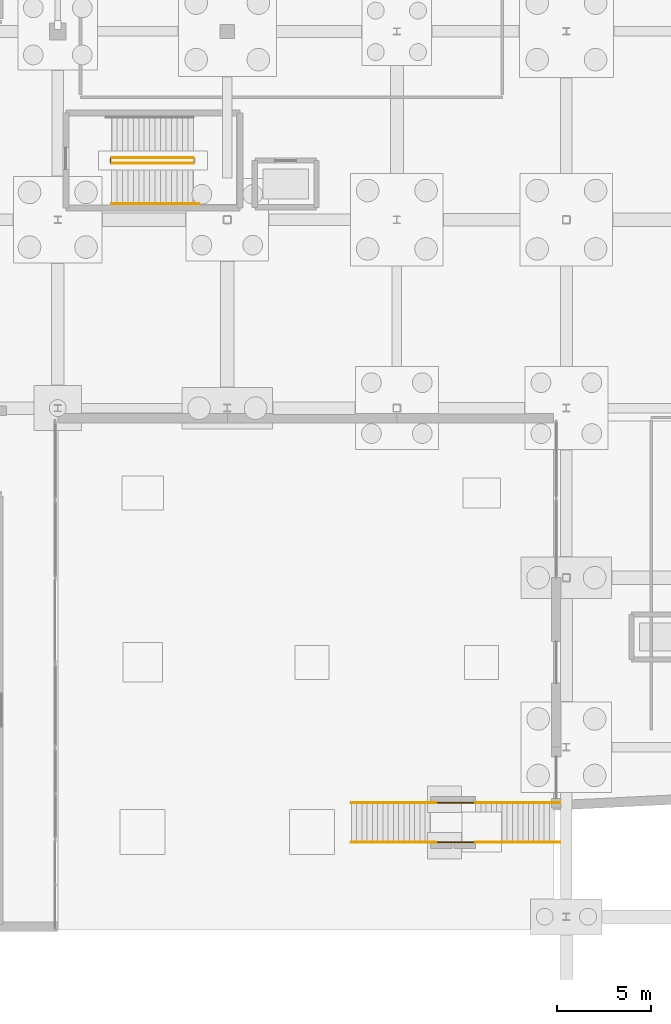
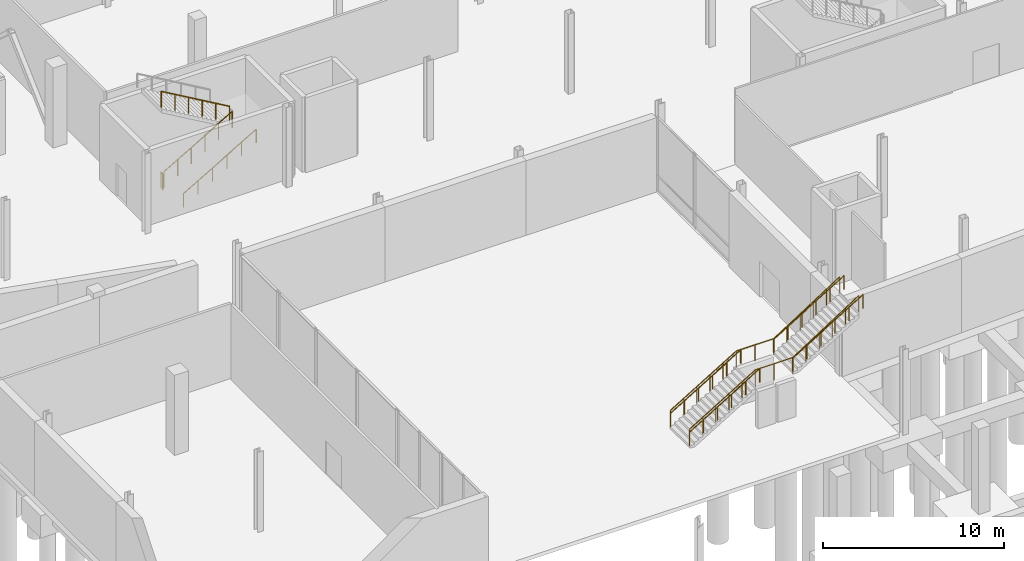
# One storey, part 52 of 60: 10 railings.
"""IFC4 building model written with IfcOpenShell, lengths in metres."""

from ifc_helpers import new_model, si_unit, direction, frame, origin, origin_2d, place, context, subcontext, project, spatial, circle, extrude, material, type_object, element, save


model = new_model("IFC4")

# Units and contexts
model_context = context("Model", 3, precision=1e-05, world=origin(), true_north=direction((0.0, 1.0)))
body_context = subcontext(model_context, "Body", "Model", "MODEL_VIEW")
ifc_project = project(units=[si_unit("LENGTHUNIT", "METRE"), si_unit("AREAUNIT", "SQUARE_METRE"), si_unit("VOLUMEUNIT", "CUBIC_METRE"), si_unit("PLANEANGLEUNIT", "RADIAN"), si_unit("MASSUNIT", "GRAM", prefix="KILO")], contexts=[model_context])

# Site, building, storey
site_placement = place(None, origin())
site = spatial("IfcSite", under=ifc_project, at=site_placement, CompositionType="ELEMENT")
building_placement = place(site_placement, origin())
building = spatial("IfcBuilding", under=site, at=building_placement, Name="Trimount Lyric Opera House", CompositionType="ELEMENT")
storey_placement = place(building_placement, frame((0.0, 0.0, -5.39990234375)))
storey = spatial("IfcBuildingStorey", under=building, at=storey_placement, Name="B1", CompositionType="ELEMENT", Elevation=-5.39990234375)

# Railings
ifc_material_1 = material(Name="Bronze and Laminated Acoustic Glass", Category="glass")
railing_type_1 = type_object("IfcRailingType", Name="RL-BAL112", PredefinedType="BALUSTRADE", material=ifc_material_1)
railing_1_placement = place(storey_placement, frame((33.580078125, 20.949951171875, 0.168701171875)))
element("IfcRailing", 1, at=railing_1_placement, inside=storey, type_object=railing_type_1, Name="Sunken Metro Forecourt Grand Stair balustrade S", PredefinedType="BALUSTRADE", context=body_context, shape_type="SweptSolid", body=[
    extrude(circle(Radius=0.02734375, at=origin_2d()), frame((0.0, 0.0, 1.0927734375), z_axis=(0.856476492594, 0.0, 0.516186030065), x_axis=(0.0, 1.0, 0.0)), (0.0, 0.0, 1.0), 4.90380859375),
    extrude(circle(Radius=0.02734375, at=origin_2d()), frame((4.199951171875, 0.0, 3.6240234375), z_axis=(1.0, 0.0, 0.0), x_axis=(0.0, 1.0, 0.0)), (0.0, 0.0, 1.0), 2.39990234375),
    extrude(circle(Radius=0.02734375, at=origin_2d()), frame((6.599853515625, 0.0, 3.6240234375), z_axis=(0.841180064094, 0.0, 0.540755119968), x_axis=(0.0, 1.0, 0.0)), (0.0, 0.0, 1.0), 4.992919921875),
    extrude(circle(Radius=0.02099609375, at=origin_2d()), origin(), (0.0, 0.0, 1.0), 1.065185546875),
    extrude(circle(Radius=0.02099609375, at=origin_2d()), frame((0.840087890625, 0.0, 0.50634765625)), (0.0, 0.0, 1.0), 1.065185546875),
    extrude(circle(Radius=0.02099609375, at=origin_2d()), frame((1.679931640625, 0.0, 1.012451171875)), (0.0, 0.0, 1.0), 1.065185546875),
    extrude(circle(Radius=0.02099609375, at=origin_2d()), frame((2.52001953125, 0.0, 1.518798828125)), (0.0, 0.0, 1.0), 1.065185546875),
    extrude(circle(Radius=0.02099609375, at=origin_2d()), frame((3.35986328125, 0.0, 2.02490234375)), (0.0, 0.0, 1.0), 1.065185546875),
    extrude(circle(Radius=0.02099609375, at=origin_2d()), frame((4.199951171875, 0.0, 2.53125)), (0.0, 0.0, 1.0), 1.065185546875),
    extrude(circle(Radius=0.02099609375, at=origin_2d()), frame((5.39990234375, 0.0, 2.53125)), (0.0, 0.0, 1.0), 1.065185546875),
    extrude(circle(Radius=0.02099609375, at=origin_2d()), frame((6.599853515625, 0.0, 2.53125)), (0.0, 0.0, 1.0), 1.065185546875),
    extrude(circle(Radius=0.02099609375, at=origin_2d()), frame((7.43994140625, 0.0, 3.0712890625)), (0.0, 0.0, 1.0), 1.065185546875),
    extrude(circle(Radius=0.02099609375, at=origin_2d()), frame((8.27978515625, 0.0, 3.611328125)), (0.0, 0.0, 1.0), 1.065185546875),
    extrude(circle(Radius=0.02099609375, at=origin_2d()), frame((9.119873046875, 0.0, 4.151123046875)), (0.0, 0.0, 1.0), 1.065185546875),
    extrude(circle(Radius=0.02099609375, at=origin_2d()), frame((9.959716796875, 0.0, 4.691162109375)), (0.0, 0.0, 1.0), 1.065185546875),
    extrude(circle(Radius=0.02099609375, at=origin_2d()), frame((10.7998046875, 0.0, 5.231201171875)), (0.0, 0.0, 1.0), 1.065185546875),
])
railing_2_placement = place(storey_placement, frame((33.580078125, 23.050048828125, 0.168701171875)))
element("IfcRailing", 2, at=railing_2_placement, inside=storey, type_object=railing_type_1, Name="Sunken Metro Forecourt Grand Stair balustrade N", PredefinedType="BALUSTRADE", context=body_context, shape_type="SweptSolid", body=[
    extrude(circle(Radius=0.02734375, at=origin_2d()), frame((0.0, 0.0, 1.0927734375), z_axis=(0.856476492594, 0.0, 0.516186030065), x_axis=(0.0, 1.0, 0.0)), (0.0, 0.0, 1.0), 4.90380859375),
    extrude(circle(Radius=0.02734375, at=origin_2d()), frame((4.199951171875, 0.0, 3.6240234375), z_axis=(1.0, 0.0, 0.0), x_axis=(0.0, 1.0, 0.0)), (0.0, 0.0, 1.0), 2.39990234375),
    extrude(circle(Radius=0.02734375, at=origin_2d()), frame((6.599853515625, 0.0, 3.6240234375), z_axis=(0.841180064094, 0.0, 0.540755119968), x_axis=(0.0, 1.0, 0.0)), (0.0, 0.0, 1.0), 4.992919921875),
    extrude(circle(Radius=0.02099609375, at=origin_2d()), origin(), (0.0, 0.0, 1.0), 1.065185546875),
    extrude(circle(Radius=0.02099609375, at=origin_2d()), frame((0.840087890625, 0.0, 0.50634765625)), (0.0, 0.0, 1.0), 1.065185546875),
    extrude(circle(Radius=0.02099609375, at=origin_2d()), frame((1.679931640625, 0.0, 1.012451171875)), (0.0, 0.0, 1.0), 1.065185546875),
    extrude(circle(Radius=0.02099609375, at=origin_2d()), frame((2.52001953125, 0.0, 1.518798828125)), (0.0, 0.0, 1.0), 1.065185546875),
    extrude(circle(Radius=0.02099609375, at=origin_2d()), frame((3.35986328125, 0.0, 2.02490234375)), (0.0, 0.0, 1.0), 1.065185546875),
    extrude(circle(Radius=0.02099609375, at=origin_2d()), frame((4.199951171875, 0.0, 2.53125)), (0.0, 0.0, 1.0), 1.065185546875),
    extrude(circle(Radius=0.02099609375, at=origin_2d()), frame((5.39990234375, 0.0, 2.53125)), (0.0, 0.0, 1.0), 1.065185546875),
    extrude(circle(Radius=0.02099609375, at=origin_2d()), frame((6.599853515625, 0.0, 2.53125)), (0.0, 0.0, 1.0), 1.065185546875),
    extrude(circle(Radius=0.02099609375, at=origin_2d()), frame((7.43994140625, 0.0, 3.0712890625)), (0.0, 0.0, 1.0), 1.065185546875),
    extrude(circle(Radius=0.02099609375, at=origin_2d()), frame((8.27978515625, 0.0, 3.611328125)), (0.0, 0.0, 1.0), 1.065185546875),
    extrude(circle(Radius=0.02099609375, at=origin_2d()), frame((9.119873046875, 0.0, 4.151123046875)), (0.0, 0.0, 1.0), 1.065185546875),
    extrude(circle(Radius=0.02099609375, at=origin_2d()), frame((9.959716796875, 0.0, 4.691162109375)), (0.0, 0.0, 1.0), 1.065185546875),
    extrude(circle(Radius=0.02099609375, at=origin_2d()), frame((10.7998046875, 0.0, 5.231201171875)), (0.0, 0.0, 1.0), 1.065185546875),
])
ifc_material_2 = material(Name="Brushed Stainless Steel 316", Category="steel")
railing_type_2 = type_object("IfcRailingType", Name="RL-GRD110", PredefinedType="GUARDRAIL", material=ifc_material_2)
railing_3_placement = place(storey_placement, frame((20.85009765625, 57.0, 0.168701171875)))
element("IfcRailing", 3, at=railing_3_placement, inside=storey, type_object=railing_type_2, Name="B1 ST-06 stair guard 1", PredefinedType="GUARDRAIL", context=body_context, shape_type="SweptSolid", body=[
    extrude(circle(Radius=0.02392578125, at=origin_2d()), frame((0.0, 0.0, 1.076171875), z_axis=(0.864311530196, 0.0, 0.502956835891), x_axis=(0.0, 1.0, 0.0)), (0.0, 0.0, 1.0), 5.03271484375),
    extrude(circle(Radius=0.02099609375, at=origin_2d()), origin(), (0.0, 0.0, 1.0), 1.052001953125),
    extrude(circle(Radius=0.02099609375, at=origin_2d()), frame((0.869873046875, 0.0, 0.50634765625)), (0.0, 0.0, 1.0), 1.052001953125),
    extrude(circle(Radius=0.02099609375, at=origin_2d()), frame((1.739990234375, 0.0, 1.012451171875)), (0.0, 0.0, 1.0), 1.052001953125),
    extrude(circle(Radius=0.02099609375, at=origin_2d()), frame((2.60986328125, 0.0, 1.518798828125)), (0.0, 0.0, 1.0), 1.052001953125),
    extrude(circle(Radius=0.02099609375, at=origin_2d()), frame((3.47998046875, 0.0, 2.02490234375)), (0.0, 0.0, 1.0), 1.052001953125),
    extrude(circle(Radius=0.02099609375, at=origin_2d()), frame((4.349853515625, 0.0, 2.53125)), (0.0, 0.0, 1.0), 1.052001953125),
])
railing_4_placement = place(storey_placement, frame((25.199951171875, 57.300048828125, 2.86865234375)))
element("IfcRailing", 4, at=railing_4_placement, inside=storey, type_object=railing_type_2, Name="B1 ST-06 stair guard 3", PredefinedType="GUARDRAIL", context=body_context, shape_type="SweptSolid", body=[
    extrude(circle(Radius=0.02392578125, at=origin_2d()), frame((0.0, 0.0, 1.076171875), z_axis=(-0.864311530196, 0.0, 0.502956835891), x_axis=(0.0, -1.0, 0.0)), (0.0, 0.0, 1.0), 5.03271484375),
    extrude(circle(Radius=0.02099609375, at=origin_2d()), origin(), (0.0, 0.0, 1.0), 1.052001953125),
    extrude(circle(Radius=0.02099609375, at=origin_2d()), frame((-0.869873046875, 0.0, 0.50634765625)), (0.0, 0.0, 1.0), 1.052001953125),
    extrude(circle(Radius=0.02099609375, at=origin_2d()), frame((-1.739990234375, 0.0, 1.012451171875)), (0.0, 0.0, 1.0), 1.052001953125),
    extrude(circle(Radius=0.02099609375, at=origin_2d()), frame((-2.60986328125, 0.0, 1.518798828125)), (0.0, 0.0, 1.0), 1.052001953125),
    extrude(circle(Radius=0.02099609375, at=origin_2d()), frame((-3.47998046875, 0.0, 2.02490234375)), (0.0, 0.0, 1.0), 1.052001953125),
    extrude(circle(Radius=0.02099609375, at=origin_2d()), frame((-4.349853515625, 0.0, 2.53125)), (0.0, 0.0, 1.0), 1.052001953125),
])
railing_5_placement = place(storey_placement, frame((20.800048828125, 57.050048828125, 0.0)))
element("IfcRailing", 5, at=railing_5_placement, inside=storey, type_object=railing_type_2, Name="B1 ST-06 stair guard 4", PredefinedType="GUARDRAIL", context=body_context, shape_type="SweptSolid", body=[
    extrude(circle(Radius=0.02392578125, at=origin_2d()), frame((0.0, 0.0, 1.076171875), z_axis=(0.0, 1.0, 0.0), x_axis=(-1.0, 0.0, 0.0)), (0.0, 0.0, 1.0), 0.199951171875),
    extrude(circle(Radius=0.02099609375, at=origin_2d()), origin(), (0.0, 0.0, 1.0), 1.052001953125),
    extrude(circle(Radius=0.02099609375, at=origin_2d()), frame((0.0, 0.199951171875, 0.0)), (0.0, 0.0, 1.0), 1.052001953125),
])
ifc_material_3 = material(Name="Brushed Stainless Steel 316", Category="steel")
railing_type_3 = type_object("IfcRailingType", Name="RL-HND092", PredefinedType="HANDRAIL", material=ifc_material_3)
railing_6_placement = place(storey_placement, frame((20.85009765625, 54.85009765625, 0.168701171875)))
element("IfcRailing", 6, at=railing_6_placement, inside=storey, type_object=railing_type_3, Name="B1 ST-06 stair handrail 1", PredefinedType="HANDRAIL", context=body_context, shape_type="SweptSolid", body=[
    extrude(circle(Radius=0.0224609375, at=origin_2d()), frame((0.0, 0.0, 0.8974609375), z_axis=(0.864060742353, 0.0, 0.503387557976), x_axis=(0.0, 1.0, 0.0)), (0.0, 0.0, 1.0), 5.369873046875),
    extrude(circle(Radius=0.02099609375, at=origin_2d()), origin(), (0.0, 0.0, 1.0), 0.875),
    extrude(circle(Radius=0.02099609375, at=origin_2d()), frame((0.927978515625, 0.0, 0.54052734375)), (0.0, 0.0, 1.0), 0.875),
    extrude(circle(Radius=0.02099609375, at=origin_2d()), frame((1.85595703125, 0.0, 1.081298828125)), (0.0, 0.0, 1.0), 0.875),
    extrude(circle(Radius=0.02099609375, at=origin_2d()), frame((2.783935546875, 0.0, 1.621826171875)), (0.0, 0.0, 1.0), 0.875),
    extrude(circle(Radius=0.02099609375, at=origin_2d()), frame((3.7119140625, 0.0, 2.16259765625)), (0.0, 0.0, 1.0), 0.875),
    extrude(circle(Radius=0.02099609375, at=origin_2d()), frame((4.639892578125, 0.0, 2.703125)), (0.0, 0.0, 1.0), 0.875),
])
for number, where, name in (
    (7, (33.580078125, 20.949951171875, 0.168701171875), "Sunken Metro Forecourt Grand Stair flight 1 handrail S"),
    (8, (40.179931640625, 20.949951171875, 2.86865234375), "Sunken Metro Forecourt Grand Stair flight 2 handrail S"),
    (9, (33.580078125, 23.050048828125, 0.168701171875), "Sunken Metro Forecourt Grand Stair flight 1 handrail N"),
    (10, (40.179931640625, 23.050048828125, 2.86865234375), "Sunken Metro Forecourt Grand Stair flight 2 handrail N"),
):
    element("IfcRailing", number, at=place(storey_placement, frame(where)), inside=storey, type_object=railing_type_3, Name=name, PredefinedType="HANDRAIL", context=body_context, shape_type="SweptSolid", body=[
        extrude(circle(Radius=0.0224609375, at=origin_2d()), frame((0.0, 0.0, 0.8974609375), z_axis=(0.856213994628, 0.0, 0.516621326895), x_axis=(0.0, 1.0, 0.0)), (0.0, 0.0, 1.0), 5.232421875),
        extrude(circle(Radius=0.02099609375, at=origin_2d()), origin(), (0.0, 0.0, 1.0), 0.875),
        extrude(circle(Radius=0.02099609375, at=origin_2d()), frame((0.89599609375, 0.0, 0.54052734375)), (0.0, 0.0, 1.0), 0.875),
        extrude(circle(Radius=0.02099609375, at=origin_2d()), frame((1.7919921875, 0.0, 1.081298828125)), (0.0, 0.0, 1.0), 0.875),
        extrude(circle(Radius=0.02099609375, at=origin_2d()), frame((2.68798828125, 0.0, 1.621826171875)), (0.0, 0.0, 1.0), 0.875),
        extrude(circle(Radius=0.02099609375, at=origin_2d()), frame((3.583984375, 0.0, 2.16259765625)), (0.0, 0.0, 1.0), 0.875),
        extrude(circle(Radius=0.02099609375, at=origin_2d()), frame((4.47998046875, 0.0, 2.703125)), (0.0, 0.0, 1.0), 0.875),
    ])

save(model, "model.ifc")
